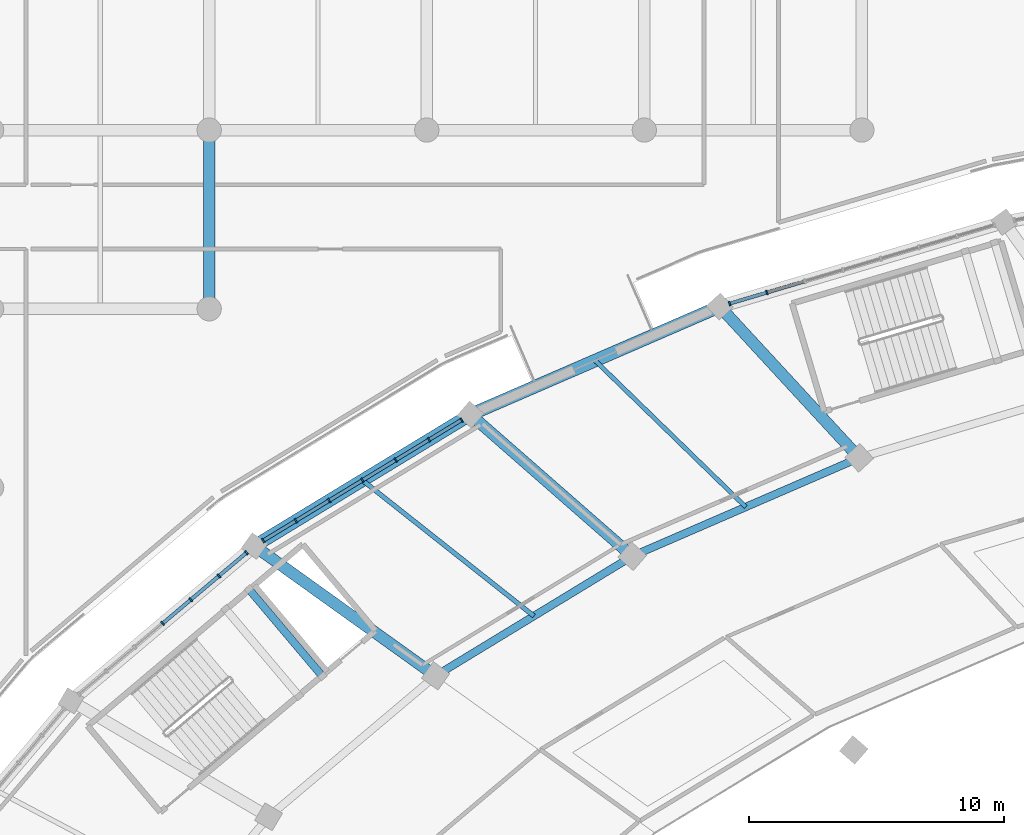
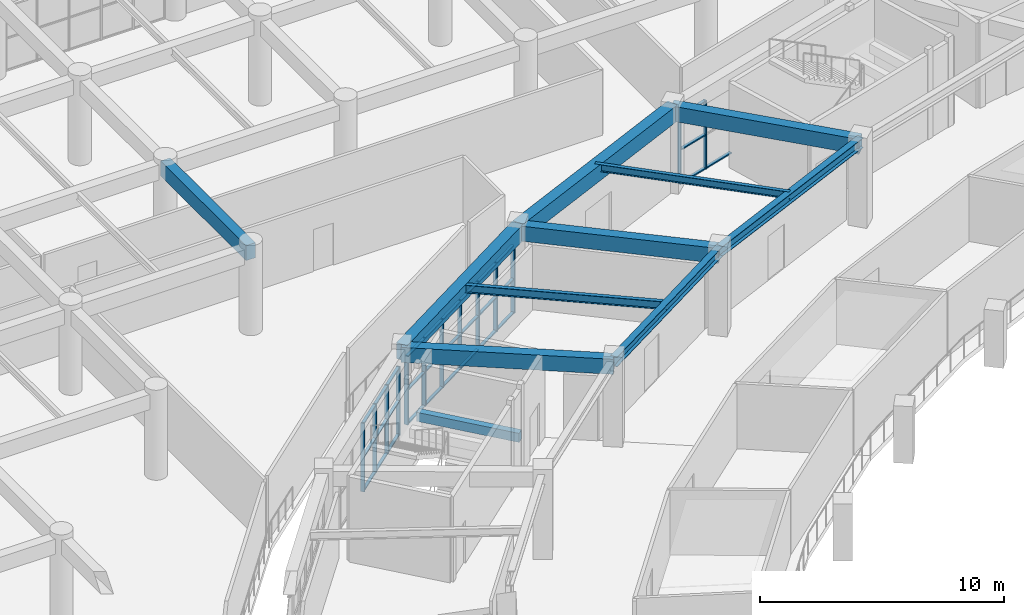
# One storey, part 51 of 141: 44 members, 11 beams, 3 elements without a shape of their own.
"""IFC4 building model written with IfcOpenShell, lengths in metres."""

from ifc_helpers import new_model, si_unit, direction, frame, origin, origin_2d, place, context, subcontext, project, spatial, rectangle, i_section, extrude, material, layer, layer_set, material_profile, profile_set, type_object, element, aggregate, save


model = new_model("IFC4")

# Units and contexts
model_context = context("Model", 3, precision=1e-05, world=origin(), true_north=direction((0.0, 1.0)))
body_context = subcontext(model_context, "Body", "Model", "MODEL_VIEW")
ifc_project = project(units=[si_unit("LENGTHUNIT", "METRE"), si_unit("AREAUNIT", "SQUARE_METRE"), si_unit("VOLUMEUNIT", "CUBIC_METRE"), si_unit("PLANEANGLEUNIT", "RADIAN"), si_unit("MASSUNIT", "GRAM", prefix="KILO")], contexts=[model_context])

# Site, building, storey
site_placement = place(None, origin())
site = spatial("IfcSite", under=ifc_project, at=site_placement, CompositionType="ELEMENT")
building_placement = place(site_placement, origin())
building = spatial("IfcBuilding", under=site, at=building_placement, Name="Mphavela Belvedere Stadium", CompositionType="ELEMENT")
storey_placement = place(building_placement, frame((0.0, 0.0, 14.699951171875)))
storey = spatial("IfcBuildingStorey", under=building, at=storey_placement, Name="L03", CompositionType="ELEMENT", Elevation=14.699951171875)

# Beams
ifc_material_1 = material(Name="Steel S355", Category="steel")
ifc_material_profile_1 = material_profile(ifc_material_1, i_section(OverallWidth=0.169921875, OverallDepth=0.360107421875, WebThickness=0.008056640625, FlangeThickness=0.0126953125, at=origin_2d()), Name="IPE 360")
ifc_profile_set_1 = profile_set([ifc_material_profile_1], Name="Steel S355")
beam_type_1 = type_object("IfcBeamType", Name="BM-JOIST-IPE360", PredefinedType="JOIST", material=ifc_profile_set_1)
beam_1_placement = place(storey_placement, frame((55.081787109375, 145.242431640625, 4.070068359375), z_axis=(-0.717067022089, 0.697004222249, 0.0), x_axis=(-0.697004222249, -0.717067022089, 0.0)))
element("IfcBeam", 1, at=beam_1_placement, inside=storey, type_object=beam_type_1, Name="Concourse floor joist L03-17", PredefinedType="JOIST", context=body_context, shape_type="SweptSolid", body=[
    extrude(i_section(OverallWidth=0.169921875, OverallDepth=0.360107421875, WebThickness=0.008056640625, FlangeThickness=0.0126953125, at=origin_2d()), origin(), (0.0, 0.0, 1.0), 8.22607421875),
])
ifc_material_2 = material(Name="Steel S355", Category="steel")
ifc_material_profile_2 = material_profile(ifc_material_2, i_section(OverallWidth=0.179931640625, OverallDepth=0.39990234375, WebThickness=0.008544921875, FlangeThickness=0.013427734375, at=origin_2d()), Name="IPE 400")
ifc_profile_set_2 = profile_set([ifc_material_profile_2], Name="Steel S355")
beam_type_2 = type_object("IfcBeamType", Name="BM-JOIST-IPE400", PredefinedType="JOIST", material=ifc_profile_set_2)
beam_2_placement = place(storey_placement, frame((46.789306640625, 140.97412109375, 4.050048828125), z_axis=(-0.784195537739, 0.620513785979, 0.0), x_axis=(-0.620513785979, -0.784195537739, 0.0)))
element("IfcBeam", 2, at=beam_2_placement, inside=storey, type_object=beam_type_2, Name="Concourse floor joist L03-18", PredefinedType="JOIST", context=body_context, shape_type="SweptSolid", body=[
    extrude(i_section(OverallWidth=0.179931640625, OverallDepth=0.39990234375, WebThickness=0.008544921875, FlangeThickness=0.013427734375, at=origin_2d()), origin(), (0.0, 0.0, 1.0), 8.56298828125),
])
ifc_material_3 = material(Name="Concrete C40/50", Category="concrete")
ifc_material_profile_3 = material_profile(ifc_material_3, rectangle(XDim=0.300048828125, YDim=0.449951171875, at=origin_2d()), Name="RC 300x450")
ifc_profile_set_3 = profile_set([ifc_material_profile_3], Name="Concrete C40/50")
beam_type_3 = type_object("IfcBeamType", Name="BM-RC300x450", PredefinedType="BEAM", material=ifc_profile_set_3)
beam_3_placement = place(storey_placement, frame((38.510009765625, 138.612548828125, 1.824951171875), z_axis=(-0.644915803055, 0.764253627384, 0.0), x_axis=(-0.764253627384, -0.644915803055, 0.0)))
element("IfcBeam", 3, at=beam_3_placement, inside=storey, type_object=beam_type_3, Name="Core C05 landing trimmer beam L03-2", PredefinedType="BEAM", context=body_context, shape_type="SweptSolid", body=[
    extrude(rectangle(XDim=0.300048828125, YDim=0.449951171875, at=origin_2d()), origin(), (0.0, 0.0, 1.0), 4.469970703125),
])
ifc_material_4 = material(Name="Concrete C40/50", Category="concrete")
ifc_material_profile_4 = material_profile(ifc_material_4, rectangle(XDim=0.449951171875, YDim=0.75, at=origin_2d()), Name="RC 450x750")
ifc_profile_set_4 = profile_set([ifc_material_profile_4], Name="Concrete C40/50")
beam_type_4 = type_object("IfcBeamType", Name="BM-RC450x750", PredefinedType="BEAM", material=ifc_profile_set_4)
beam_4_placement = place(storey_placement, frame((59.523681640625, 147.16796875, 3.875), z_axis=(-0.67784325477, 0.735206448532, 0.0), x_axis=(-0.735206448532, -0.67784325477, 0.0)))
element("IfcBeam", 4, at=beam_4_placement, inside=storey, type_object=beam_type_4, Name="Radial concourse girder L03 R3R4-17", PredefinedType="BEAM", context=body_context, shape_type="SweptSolid", body=[
    extrude(rectangle(XDim=0.449951171875, YDim=0.75, at=origin_2d()), origin(), (0.0, 0.0, 1.0), 8.056640625),
])
beam_5_placement = place(storey_placement, frame((50.639892578125, 143.31689453125, 3.875), z_axis=(-0.752589268993, 0.658490236978, 0.0), x_axis=(-0.658490236978, -0.752589268993, 0.0)))
element("IfcBeam", 5, at=beam_5_placement, inside=storey, type_object=beam_type_4, Name="Radial concourse girder L03 R3R4-18", PredefinedType="BEAM", context=body_context, shape_type="SweptSolid", body=[
    extrude(rectangle(XDim=0.449951171875, YDim=0.75, at=origin_2d()), origin(), (0.0, 0.0, 1.0), 8.419189453125),
])
beam_6_placement = place(storey_placement, frame((42.938720703125, 138.631591796875, 3.875), z_axis=(-0.812882024932, 0.582428376319, 0.0), x_axis=(-0.582428376319, -0.812882024932, 0.0)))
element("IfcBeam", 6, at=beam_6_placement, inside=storey, type_object=beam_type_4, Name="Radial concourse girder L03 R3R4-19", PredefinedType="BEAM", context=body_context, shape_type="SweptSolid", body=[
    extrude(rectangle(XDim=0.449951171875, YDim=0.75, at=origin_2d()), origin(), (0.0, 0.0, 1.0), 8.727294921875),
])
beam_7_placement = place(storey_placement, frame((34.073974609375, 153.0, 3.864990234375), z_axis=(0.0, 1.0, 0.0), x_axis=(-1.0, 0.0, 0.0)))
element("IfcBeam", 7, at=beam_7_placement, inside=storey, type_object=beam_type_4, Name="North Mast and Ceremonial End Forecourt entablature beam Y L03 5-5", PredefinedType="BEAM", context=body_context, shape_type="SweptSolid", body=[
    extrude(rectangle(XDim=0.449951171875, YDim=0.75, at=origin_2d()), origin(), (0.0, 0.0, 1.0), 7.0),
])
ifc_material_5 = material(Name="Concrete C40/50", Category="concrete")
ifc_material_profile_5 = material_profile(ifc_material_5, rectangle(XDim=0.5, YDim=0.800048828125, at=origin_2d()), Name="RC 500x800")
ifc_profile_set_5 = profile_set([ifc_material_profile_5], Name="Concrete C40/50")
beam_type_5 = type_object("IfcBeamType", Name="BM-SPANDREL-800", PredefinedType="SPANDREL", material=ifc_profile_set_5)
beam_8_placement = place(storey_placement, frame((54.0625, 153.09130859375, 3.85009765625), z_axis=(-0.91749867224, -0.397738842004, 0.0), x_axis=(0.397738842004, -0.91749867224, 0.0)))
element("IfcBeam", 8, at=beam_8_placement, inside=storey, type_object=beam_type_5, Name="Circumferential girder L03 R4-17", PredefinedType="SPANDREL", context=body_context, shape_type="SweptSolid", body=[
    extrude(rectangle(XDim=0.5, YDim=0.800048828125, at=origin_2d()), origin(), (0.0, 0.0, 1.0), 10.63623046875),
])
beam_9_placement = place(storey_placement, frame((44.3037109375, 148.86083984375, 3.85009765625), z_axis=(-0.854326607994, -0.51973651678, 0.0), x_axis=(0.51973651678, -0.854326607994, 0.0)))
element("IfcBeam", 9, at=beam_9_placement, inside=storey, type_object=beam_type_5, Name="Circumferential girder L03 R4-18", PredefinedType="SPANDREL", context=body_context, shape_type="SweptSolid", body=[
    extrude(rectangle(XDim=0.5, YDim=0.800048828125, at=origin_2d()), origin(), (0.0, 0.0, 1.0), 9.901611328125),
])
ifc_material_6 = material(Name="Steel S355", Category="steel")
ifc_material_profile_6 = material_profile(ifc_material_6, i_section(OverallWidth=0.300048828125, OverallDepth=0.489990234375, WebThickness=0.011962890625, FlangeThickness=0.02294921875, at=origin_2d()), Name="HEA 500")
ifc_profile_set_6 = profile_set([ifc_material_profile_6], Name="Steel S355")
beam_type_6 = type_object("IfcBeamType", Name="BM-STEEL-HEA500", PredefinedType="BEAM", material=ifc_profile_set_6)
beam_10_placement = place(storey_placement, frame((59.523681640625, 147.16796875, 4.005126953125), z_axis=(-0.917501650019, -0.397731972832, 0.0), x_axis=(0.397731972832, -0.917501650019, 0.0)))
element("IfcBeam", 10, at=beam_10_placement, inside=storey, type_object=beam_type_6, Name="Circumferential girder L03 R3-17", PredefinedType="BEAM", context=body_context, shape_type="SweptSolid", body=[
    extrude(i_section(OverallWidth=0.300048828125, OverallDepth=0.489990234375, WebThickness=0.011962890625, FlangeThickness=0.02294921875, at=origin_2d()), origin(), (0.0, 0.0, 1.0), 9.6826171875),
])
beam_11_placement = place(storey_placement, frame((50.639892578125, 143.31689453125, 4.005126953125), z_axis=(-0.854315160357, -0.519755333579, 0.0), x_axis=(0.519755333579, -0.854315160357, 0.0)))
element("IfcBeam", 11, at=beam_11_placement, inside=storey, type_object=beam_type_6, Name="Circumferential girder L03 R3-18", PredefinedType="BEAM", context=body_context, shape_type="SweptSolid", body=[
    extrude(i_section(OverallWidth=0.300048828125, OverallDepth=0.489990234375, WebThickness=0.011962890625, FlangeThickness=0.02294921875, at=origin_2d()), origin(), (0.0, 0.0, 1.0), 9.014404296875),
])

# Curtain wall, members
ifc_material_7 = material(Name="Anodised bronze unitised curtain wall framing")
ifc_layer_1 = layer(ifc_material_7, 0.18505859375)
ifc_layer_set_1 = layer_set([ifc_layer_1], Name="Anodised bronze unitised curtain wall framing")
curtain_wall_type_1 = type_object("IfcCurtainWallType", Name="CW-UNIT-02", PredefinedType="USERDEFINED", material=ifc_layer_set_1)
curtain_wall_1_placement = place(storey_placement, origin())
curtain_wall_1 = element("IfcCurtainWall", 12, at=curtain_wall_1_placement, inside=storey, type_object=curtain_wall_type_1, Name="Belvedere colonnade curtain wall L03-16", ObjectType="UNITISED CURTAIN WALL", PredefinedType="USERDEFINED")
ifc_material_8 = material(Name="Anodised bronze extruded aluminium", Category="aluminium")
ifc_material_profile_7 = material_profile(ifc_material_8, rectangle(XDim=0.179931640625, YDim=0.06494140625, at=origin_2d()), Name="CW-MUL 180x65")
ifc_profile_set_7 = profile_set([ifc_material_profile_7], Name="Anodised bronze extruded aluminium")
member_type_1 = type_object("IfcMemberType", Name="CWM-180x65", PredefinedType="MULLION", material=ifc_profile_set_7)
member_1_placement = place(storey_placement, frame((55.90869140625, 153.639404296875, 0.0), z_axis=(0.0, 0.0, 1.0), x_axis=(0.284565000591, -0.958656747975, 0.0)))
member_1 = element("IfcMember", 13, at=member_1_placement, type_object=member_type_1, Name="CW-02 mullion 7", PredefinedType="MULLION", context=body_context, shape_type="SweptSolid", body=[
    extrude(rectangle(XDim=0.179931640625, YDim=0.06494140625, at=origin_2d()), origin(), (0.0, 0.0, 1.0), 3.420166015625),
])
member_2_placement = place(storey_placement, frame((54.451171875, 153.20654296875, 0.0), z_axis=(0.0, 0.0, 1.0), x_axis=(0.284565000591, -0.958656747975, 0.0)))
member_2 = element("IfcMember", 14, at=member_2_placement, type_object=member_type_1, Name="CW-02 mullion 8", PredefinedType="MULLION", context=body_context, shape_type="SweptSolid", body=[
    extrude(rectangle(XDim=0.179931640625, YDim=0.06494140625, at=origin_2d()), origin(), (0.0, 0.0, 1.0), 3.420166015625),
])

ifc_material_9 = material(Name="Anodised bronze unitised curtain wall framing")
ifc_layer_2 = layer(ifc_material_9, 0.18994140625)
ifc_layer_set_2 = layer_set([ifc_layer_2], Name="Anodised bronze unitised curtain wall framing")
curtain_wall_type_2 = type_object("IfcCurtainWallType", Name="CW-UNIT-03", PredefinedType="USERDEFINED", material=ifc_layer_set_2)
curtain_wall_2_placement = place(storey_placement, origin())
curtain_wall_2 = element("IfcCurtainWall", 15, at=curtain_wall_2_placement, inside=storey, type_object=curtain_wall_type_2, Name="Belvedere colonnade curtain wall L03-18", ObjectType="UNITISED CURTAIN WALL", PredefinedType="USERDEFINED")
member_3_placement = place(storey_placement, frame((43.957275390625, 148.650146484375, 0.0), z_axis=(0.0, 0.0, 1.0), x_axis=(0.519738342169, -0.8543254975, 0.0)))
member_3 = element("IfcMember", 16, at=member_3_placement, type_object=member_type_1, Name="CW-03 mullion 1", PredefinedType="MULLION", context=body_context, shape_type="SweptSolid", body=[
    extrude(rectangle(XDim=0.179931640625, YDim=0.06494140625, at=origin_2d()), origin(), (0.0, 0.0, 1.0), 3.420166015625),
])
member_4_placement = place(storey_placement, frame((42.681396484375, 147.873779296875, 0.0), z_axis=(0.0, 0.0, 1.0), x_axis=(0.519738342169, -0.8543254975, 0.0)))
member_4 = element("IfcMember", 17, at=member_4_placement, type_object=member_type_1, Name="CW-03 mullion 2", PredefinedType="MULLION", context=body_context, shape_type="SweptSolid", body=[
    extrude(rectangle(XDim=0.179931640625, YDim=0.06494140625, at=origin_2d()), origin(), (0.0, 0.0, 1.0), 3.420166015625),
])
member_5_placement = place(storey_placement, frame((41.377685546875, 147.080810546875, 0.0), z_axis=(0.0, 0.0, 1.0), x_axis=(0.519738342169, -0.8543254975, 0.0)))
member_5 = element("IfcMember", 18, at=member_5_placement, type_object=member_type_1, Name="CW-03 mullion 3", PredefinedType="MULLION", context=body_context, shape_type="SweptSolid", body=[
    extrude(rectangle(XDim=0.179931640625, YDim=0.06494140625, at=origin_2d()), origin(), (0.0, 0.0, 1.0), 3.420166015625),
])
member_6_placement = place(storey_placement, frame((40.07421875, 146.28759765625, 0.0), z_axis=(0.0, 0.0, 1.0), x_axis=(0.519738342169, -0.8543254975, 0.0)))
member_6 = element("IfcMember", 19, at=member_6_placement, type_object=member_type_1, Name="CW-03 mullion 4", PredefinedType="MULLION", context=body_context, shape_type="SweptSolid", body=[
    extrude(rectangle(XDim=0.179931640625, YDim=0.06494140625, at=origin_2d()), origin(), (0.0, 0.0, 1.0), 3.420166015625),
])
member_7_placement = place(storey_placement, frame((38.7705078125, 145.49462890625, 0.0), z_axis=(0.0, 0.0, 1.0), x_axis=(0.519738342169, -0.8543254975, 0.0)))
member_7 = element("IfcMember", 20, at=member_7_placement, type_object=member_type_1, Name="CW-03 mullion 5", PredefinedType="MULLION", context=body_context, shape_type="SweptSolid", body=[
    extrude(rectangle(XDim=0.179931640625, YDim=0.06494140625, at=origin_2d()), origin(), (0.0, 0.0, 1.0), 3.420166015625),
])
member_8_placement = place(storey_placement, frame((37.466796875, 144.701416015625, 0.0), z_axis=(0.0, 0.0, 1.0), x_axis=(0.519738342169, -0.8543254975, 0.0)))
member_8 = element("IfcMember", 21, at=member_8_placement, type_object=member_type_1, Name="CW-03 mullion 6", PredefinedType="MULLION", context=body_context, shape_type="SweptSolid", body=[
    extrude(rectangle(XDim=0.179931640625, YDim=0.06494140625, at=origin_2d()), origin(), (0.0, 0.0, 1.0), 3.420166015625),
])
member_9_placement = place(storey_placement, frame((36.19091796875, 143.92529296875, 0.0), z_axis=(0.0, 0.0, 1.0), x_axis=(0.519738342169, -0.8543254975, 0.0)))
member_9 = element("IfcMember", 22, at=member_9_placement, type_object=member_type_1, Name="CW-03 mullion 7", PredefinedType="MULLION", context=body_context, shape_type="SweptSolid", body=[
    extrude(rectangle(XDim=0.179931640625, YDim=0.06494140625, at=origin_2d()), origin(), (0.0, 0.0, 1.0), 3.420166015625),
])

ifc_material_10 = material(Name="Anodised bronze unitised curtain wall framing")
ifc_layer_3 = layer(ifc_material_10, 0.195068359375)
ifc_layer_set_3 = layer_set([ifc_layer_3], Name="Anodised bronze unitised curtain wall framing")
curtain_wall_type_3 = type_object("IfcCurtainWallType", Name="CW-UNIT-04", PredefinedType="USERDEFINED", material=ifc_layer_set_3)
curtain_wall_3_placement = place(storey_placement, origin())
curtain_wall_3 = element("IfcCurtainWall", 23, at=curtain_wall_3_placement, inside=storey, type_object=curtain_wall_type_3, Name="Belvedere colonnade curtain wall L03-19", ObjectType="UNITISED CURTAIN WALL", PredefinedType="USERDEFINED")
member_10_placement = place(storey_placement, frame((35.534423828125, 143.452880859375, 0.0), z_axis=(0.0, 0.0, 1.0), x_axis=(0.644904906656, -0.764262822183, 0.0)))
member_10 = element("IfcMember", 24, at=member_10_placement, type_object=member_type_1, Name="CW-04 mullion 1", PredefinedType="MULLION", context=body_context, shape_type="SweptSolid", body=[
    extrude(rectangle(XDim=0.179931640625, YDim=0.06494140625, at=origin_2d()), origin(), (0.0, 0.0, 1.0), 3.420166015625),
])
member_11_placement = place(storey_placement, frame((34.457275390625, 142.5439453125, 0.0), z_axis=(0.0, 0.0, 1.0), x_axis=(0.644904906656, -0.764262822183, 0.0)))
member_11 = element("IfcMember", 25, at=member_11_placement, type_object=member_type_1, Name="CW-04 mullion 2", PredefinedType="MULLION", context=body_context, shape_type="SweptSolid", body=[
    extrude(rectangle(XDim=0.179931640625, YDim=0.06494140625, at=origin_2d()), origin(), (0.0, 0.0, 1.0), 3.420166015625),
])
member_12_placement = place(storey_placement, frame((33.355224609375, 141.614013671875, 0.0), z_axis=(0.0, 0.0, 1.0), x_axis=(0.644904906656, -0.764262822183, 0.0)))
member_12 = element("IfcMember", 26, at=member_12_placement, type_object=member_type_1, Name="CW-04 mullion 3", PredefinedType="MULLION", context=body_context, shape_type="SweptSolid", body=[
    extrude(rectangle(XDim=0.179931640625, YDim=0.06494140625, at=origin_2d()), origin(), (0.0, 0.0, 1.0), 3.420166015625),
])
member_13_placement = place(storey_placement, frame((32.2529296875, 140.68408203125, 0.0), z_axis=(0.0, 0.0, 1.0), x_axis=(0.644904906656, -0.764262822183, 0.0)))
member_13 = element("IfcMember", 27, at=member_13_placement, type_object=member_type_1, Name="CW-04 mullion 4", PredefinedType="MULLION", context=body_context, shape_type="SweptSolid", body=[
    extrude(rectangle(XDim=0.179931640625, YDim=0.06494140625, at=origin_2d()), origin(), (0.0, 0.0, 1.0), 3.420166015625),
])

# Member
ifc_material_11 = material(Name="Anodised bronze extruded aluminium", Category="aluminium")
ifc_material_profile_8 = material_profile(ifc_material_11, rectangle(XDim=0.139892578125, YDim=0.06005859375, at=origin_2d()), Name="CW-TRN 140x60")
ifc_profile_set_8 = profile_set([ifc_material_profile_8], Name="Anodised bronze extruded aluminium")
member_type_2 = type_object("IfcMemberType", Name="CWT-140x60", PredefinedType="USERDEFINED", material=ifc_profile_set_8)
member_14_placement = place(storey_placement, frame((57.3662109375, 154.072021484375, 0.030029296875), z_axis=(-0.958662254845, -0.284546448117, 0.0), x_axis=(0.284546448117, -0.958662254845, 0.0)))
member_14 = element("IfcMember", 28, at=member_14_placement, type_object=member_type_2, Name="CW-02 transom 6.1", ObjectType="TRANSOM", PredefinedType="USERDEFINED", context=body_context, shape_type="SweptSolid", body=[
    extrude(rectangle(XDim=0.139892578125, YDim=0.06005859375, at=origin_2d()), origin(), (0.0, 0.0, 1.0), 1.48779296875),
])

member_15_placement = place(storey_placement, frame((55.877685546875, 153.630126953125, 0.030029296875), z_axis=(-0.958630418167, -0.284653686724, 0.0), x_axis=(0.284653686724, -0.958630418167, 0.0)))
member_15 = element("IfcMember", 29, at=member_15_placement, type_object=member_type_2, Name="CW-02 transom 7.1", ObjectType="TRANSOM", PredefinedType="USERDEFINED", context=body_context, shape_type="SweptSolid", body=[
    extrude(rectangle(XDim=0.139892578125, YDim=0.06005859375, at=origin_2d()), origin(), (0.0, 0.0, 1.0), 1.45556640625),
])

member_16_placement = place(storey_placement, frame((55.877685546875, 153.630126953125, 1.7099609375), z_axis=(-0.958630418167, -0.284653686724, 0.0), x_axis=(0.284653686724, -0.958630418167, 0.0)))
member_16 = element("IfcMember", 30, at=member_16_placement, type_object=member_type_2, Name="CW-02 transom 7.2", ObjectType="TRANSOM", PredefinedType="USERDEFINED", context=body_context, shape_type="SweptSolid", body=[
    extrude(rectangle(XDim=0.139892578125, YDim=0.06005859375, at=origin_2d()), origin(), (0.0, 0.0, 1.0), 1.45556640625),
])

member_17_placement = place(storey_placement, frame((55.877685546875, 153.630126953125, 3.39013671875), z_axis=(-0.958630418167, -0.284653686724, 0.0), x_axis=(0.284653686724, -0.958630418167, 0.0)))
member_17 = element("IfcMember", 31, at=member_17_placement, type_object=member_type_2, Name="CW-02 transom 7.3", ObjectType="TRANSOM", PredefinedType="USERDEFINED", context=body_context, shape_type="SweptSolid", body=[
    extrude(rectangle(XDim=0.139892578125, YDim=0.06005859375, at=origin_2d()), origin(), (0.0, 0.0, 1.0), 1.45556640625),
])

aggregate(curtain_wall_1, [member_1, member_2, member_14, member_15, member_16, member_17])

member_18_placement = place(storey_placement, frame((43.9296875, 148.63330078125, 0.030029296875), z_axis=(-0.854340431613, -0.519713793266, 0.0), x_axis=(0.519713793266, -0.854340431613, 0.0)))
member_18 = element("IfcMember", 32, at=member_18_placement, type_object=member_type_2, Name="CW-03 transom 1.1", ObjectType="TRANSOM", PredefinedType="USERDEFINED", context=body_context, shape_type="SweptSolid", body=[
    extrude(rectangle(XDim=0.139892578125, YDim=0.06005859375, at=origin_2d()), origin(), (0.0, 0.0, 1.0), 1.428466796875),
])

member_19_placement = place(storey_placement, frame((43.9296875, 148.63330078125, 1.7099609375), z_axis=(-0.854340431613, -0.519713793266, 0.0), x_axis=(0.519713793266, -0.854340431613, 0.0)))
member_19 = element("IfcMember", 33, at=member_19_placement, type_object=member_type_2, Name="CW-03 transom 1.2", ObjectType="TRANSOM", PredefinedType="USERDEFINED", context=body_context, shape_type="SweptSolid", body=[
    extrude(rectangle(XDim=0.139892578125, YDim=0.06005859375, at=origin_2d()), origin(), (0.0, 0.0, 1.0), 1.428466796875),
])

member_20_placement = place(storey_placement, frame((43.9296875, 148.63330078125, 3.39013671875), z_axis=(-0.854340431613, -0.519713793266, 0.0), x_axis=(0.519713793266, -0.854340431613, 0.0)))
member_20 = element("IfcMember", 34, at=member_20_placement, type_object=member_type_2, Name="CW-03 transom 1.3", ObjectType="TRANSOM", PredefinedType="USERDEFINED", context=body_context, shape_type="SweptSolid", body=[
    extrude(rectangle(XDim=0.139892578125, YDim=0.06005859375, at=origin_2d()), origin(), (0.0, 0.0, 1.0), 1.428466796875),
])

member_21_placement = place(storey_placement, frame((42.653564453125, 147.85693359375, 0.030029296875), z_axis=(-0.854321163894, -0.519745465515, 0.0), x_axis=(0.519745465515, -0.854321163894, 0.0)))
member_21 = element("IfcMember", 35, at=member_21_placement, type_object=member_type_2, Name="CW-03 transom 2.1", ObjectType="TRANSOM", PredefinedType="USERDEFINED", context=body_context, shape_type="SweptSolid", body=[
    extrude(rectangle(XDim=0.139892578125, YDim=0.06005859375, at=origin_2d()), origin(), (0.0, 0.0, 1.0), 1.4609375),
])

member_22_placement = place(storey_placement, frame((42.653564453125, 147.85693359375, 1.7099609375), z_axis=(-0.854321163894, -0.519745465515, 0.0), x_axis=(0.519745465515, -0.854321163894, 0.0)))
member_22 = element("IfcMember", 36, at=member_22_placement, type_object=member_type_2, Name="CW-03 transom 2.2", ObjectType="TRANSOM", PredefinedType="USERDEFINED", context=body_context, shape_type="SweptSolid", body=[
    extrude(rectangle(XDim=0.139892578125, YDim=0.06005859375, at=origin_2d()), origin(), (0.0, 0.0, 1.0), 1.4609375),
])

member_23_placement = place(storey_placement, frame((42.653564453125, 147.85693359375, 3.39013671875), z_axis=(-0.854321163894, -0.519745465515, 0.0), x_axis=(0.519745465515, -0.854321163894, 0.0)))
member_23 = element("IfcMember", 37, at=member_23_placement, type_object=member_type_2, Name="CW-03 transom 2.3", ObjectType="TRANSOM", PredefinedType="USERDEFINED", context=body_context, shape_type="SweptSolid", body=[
    extrude(rectangle(XDim=0.139892578125, YDim=0.06005859375, at=origin_2d()), origin(), (0.0, 0.0, 1.0), 1.4609375),
])

member_24_placement = place(storey_placement, frame((41.35009765625, 147.06396484375, 0.030029296875), z_axis=(-0.854366299444, -0.519671267606, 0.0), x_axis=(0.519671267606, -0.854366299444, 0.0)))
member_24 = element("IfcMember", 38, at=member_24_placement, type_object=member_type_2, Name="CW-03 transom 3.1", ObjectType="TRANSOM", PredefinedType="USERDEFINED", context=body_context, shape_type="SweptSolid", body=[
    extrude(rectangle(XDim=0.139892578125, YDim=0.06005859375, at=origin_2d()), origin(), (0.0, 0.0, 1.0), 1.461181640625),
])

member_25_placement = place(storey_placement, frame((41.35009765625, 147.06396484375, 1.7099609375), z_axis=(-0.854366299444, -0.519671267606, 0.0), x_axis=(0.519671267606, -0.854366299444, 0.0)))
member_25 = element("IfcMember", 39, at=member_25_placement, type_object=member_type_2, Name="CW-03 transom 3.2", ObjectType="TRANSOM", PredefinedType="USERDEFINED", context=body_context, shape_type="SweptSolid", body=[
    extrude(rectangle(XDim=0.139892578125, YDim=0.06005859375, at=origin_2d()), origin(), (0.0, 0.0, 1.0), 1.461181640625),
])

member_26_placement = place(storey_placement, frame((41.35009765625, 147.06396484375, 3.39013671875), z_axis=(-0.854366299444, -0.519671267606, 0.0), x_axis=(0.519671267606, -0.854366299444, 0.0)))
member_26 = element("IfcMember", 40, at=member_26_placement, type_object=member_type_2, Name="CW-03 transom 3.3", ObjectType="TRANSOM", PredefinedType="USERDEFINED", context=body_context, shape_type="SweptSolid", body=[
    extrude(rectangle(XDim=0.139892578125, YDim=0.06005859375, at=origin_2d()), origin(), (0.0, 0.0, 1.0), 1.461181640625),
])

member_27_placement = place(storey_placement, frame((40.04638671875, 146.270751953125, 0.030029296875), z_axis=(-0.854366299444, -0.519671267606, 0.0), x_axis=(0.519671267606, -0.854366299444, 0.0)))
member_27 = element("IfcMember", 41, at=member_27_placement, type_object=member_type_2, Name="CW-03 transom 4.1", ObjectType="TRANSOM", PredefinedType="USERDEFINED", context=body_context, shape_type="SweptSolid", body=[
    extrude(rectangle(XDim=0.139892578125, YDim=0.06005859375, at=origin_2d()), origin(), (0.0, 0.0, 1.0), 1.461181640625),
])

member_28_placement = place(storey_placement, frame((40.04638671875, 146.270751953125, 1.7099609375), z_axis=(-0.854366299444, -0.519671267606, 0.0), x_axis=(0.519671267606, -0.854366299444, 0.0)))
member_28 = element("IfcMember", 42, at=member_28_placement, type_object=member_type_2, Name="CW-03 transom 4.2", ObjectType="TRANSOM", PredefinedType="USERDEFINED", context=body_context, shape_type="SweptSolid", body=[
    extrude(rectangle(XDim=0.139892578125, YDim=0.06005859375, at=origin_2d()), origin(), (0.0, 0.0, 1.0), 1.461181640625),
])

member_29_placement = place(storey_placement, frame((40.04638671875, 146.270751953125, 3.39013671875), z_axis=(-0.854366299444, -0.519671267606, 0.0), x_axis=(0.519671267606, -0.854366299444, 0.0)))
member_29 = element("IfcMember", 43, at=member_29_placement, type_object=member_type_2, Name="CW-03 transom 4.3", ObjectType="TRANSOM", PredefinedType="USERDEFINED", context=body_context, shape_type="SweptSolid", body=[
    extrude(rectangle(XDim=0.139892578125, YDim=0.06005859375, at=origin_2d()), origin(), (0.0, 0.0, 1.0), 1.461181640625),
])

member_30_placement = place(storey_placement, frame((38.74267578125, 145.477783203125, 0.030029296875), z_axis=(-0.854321163894, -0.519745465515, 0.0), x_axis=(0.519745465515, -0.854321163894, 0.0)))
member_30 = element("IfcMember", 44, at=member_30_placement, type_object=member_type_2, Name="CW-03 transom 5.1", ObjectType="TRANSOM", PredefinedType="USERDEFINED", context=body_context, shape_type="SweptSolid", body=[
    extrude(rectangle(XDim=0.139892578125, YDim=0.06005859375, at=origin_2d()), origin(), (0.0, 0.0, 1.0), 1.4609375),
])

member_31_placement = place(storey_placement, frame((38.74267578125, 145.477783203125, 1.7099609375), z_axis=(-0.854321163894, -0.519745465515, 0.0), x_axis=(0.519745465515, -0.854321163894, 0.0)))
member_31 = element("IfcMember", 45, at=member_31_placement, type_object=member_type_2, Name="CW-03 transom 5.2", ObjectType="TRANSOM", PredefinedType="USERDEFINED", context=body_context, shape_type="SweptSolid", body=[
    extrude(rectangle(XDim=0.139892578125, YDim=0.06005859375, at=origin_2d()), origin(), (0.0, 0.0, 1.0), 1.4609375),
])

member_32_placement = place(storey_placement, frame((38.74267578125, 145.477783203125, 3.39013671875), z_axis=(-0.854321163894, -0.519745465515, 0.0), x_axis=(0.519745465515, -0.854321163894, 0.0)))
member_32 = element("IfcMember", 46, at=member_32_placement, type_object=member_type_2, Name="CW-03 transom 5.3", ObjectType="TRANSOM", PredefinedType="USERDEFINED", context=body_context, shape_type="SweptSolid", body=[
    extrude(rectangle(XDim=0.139892578125, YDim=0.06005859375, at=origin_2d()), origin(), (0.0, 0.0, 1.0), 1.4609375),
])

member_33_placement = place(storey_placement, frame((37.43896484375, 144.6845703125, 0.030029296875), z_axis=(-0.854294260385, -0.51978968504, 0.0), x_axis=(0.51978968504, -0.854294260385, 0.0)))
member_33 = element("IfcMember", 47, at=member_33_placement, type_object=member_type_2, Name="CW-03 transom 6.1", ObjectType="TRANSOM", PredefinedType="USERDEFINED", context=body_context, shape_type="SweptSolid", body=[
    extrude(rectangle(XDim=0.139892578125, YDim=0.06005859375, at=origin_2d()), origin(), (0.0, 0.0, 1.0), 1.42822265625),
])

member_34_placement = place(storey_placement, frame((37.43896484375, 144.6845703125, 1.7099609375), z_axis=(-0.854294260385, -0.51978968504, 0.0), x_axis=(0.51978968504, -0.854294260385, 0.0)))
member_34 = element("IfcMember", 48, at=member_34_placement, type_object=member_type_2, Name="CW-03 transom 6.2", ObjectType="TRANSOM", PredefinedType="USERDEFINED", context=body_context, shape_type="SweptSolid", body=[
    extrude(rectangle(XDim=0.139892578125, YDim=0.06005859375, at=origin_2d()), origin(), (0.0, 0.0, 1.0), 1.42822265625),
])

member_35_placement = place(storey_placement, frame((37.43896484375, 144.6845703125, 3.39013671875), z_axis=(-0.854294260385, -0.51978968504, 0.0), x_axis=(0.51978968504, -0.854294260385, 0.0)))
member_35 = element("IfcMember", 49, at=member_35_placement, type_object=member_type_2, Name="CW-03 transom 6.3", ObjectType="TRANSOM", PredefinedType="USERDEFINED", context=body_context, shape_type="SweptSolid", body=[
    extrude(rectangle(XDim=0.139892578125, YDim=0.06005859375, at=origin_2d()), origin(), (0.0, 0.0, 1.0), 1.42822265625),
])

aggregate(curtain_wall_2, [member_3, member_4, member_5, member_6, member_7, member_8, member_9, member_18, member_19, member_20, member_21, member_22, member_23, member_24, member_25, member_26, member_27, member_28, member_29, member_30, member_31, member_32, member_33, member_34, member_35])

member_36_placement = place(storey_placement, frame((35.509521484375, 143.431884765625, 0.030029296875), z_axis=(-0.764322248714, -0.644834474978, 0.0), x_axis=(0.644834474978, -0.764322248714, 0.0)))
member_36 = element("IfcMember", 50, at=member_36_placement, type_object=member_type_2, Name="CW-04 transom 1.1", ObjectType="TRANSOM", PredefinedType="USERDEFINED", context=body_context, shape_type="SweptSolid", body=[
    extrude(rectangle(XDim=0.139892578125, YDim=0.06005859375, at=origin_2d()), origin(), (0.0, 0.0, 1.0), 1.344482421875),
])

member_37_placement = place(storey_placement, frame((35.509521484375, 143.431884765625, 1.7099609375), z_axis=(-0.764322248714, -0.644834474978, 0.0), x_axis=(0.644834474978, -0.764322248714, 0.0)))
member_37 = element("IfcMember", 51, at=member_37_placement, type_object=member_type_2, Name="CW-04 transom 1.2", ObjectType="TRANSOM", PredefinedType="USERDEFINED", context=body_context, shape_type="SweptSolid", body=[
    extrude(rectangle(XDim=0.139892578125, YDim=0.06005859375, at=origin_2d()), origin(), (0.0, 0.0, 1.0), 1.344482421875),
])

member_38_placement = place(storey_placement, frame((35.509521484375, 143.431884765625, 3.39013671875), z_axis=(-0.764322248714, -0.644834474978, 0.0), x_axis=(0.644834474978, -0.764322248714, 0.0)))
member_38 = element("IfcMember", 52, at=member_38_placement, type_object=member_type_2, Name="CW-04 transom 1.3", ObjectType="TRANSOM", PredefinedType="USERDEFINED", context=body_context, shape_type="SweptSolid", body=[
    extrude(rectangle(XDim=0.139892578125, YDim=0.06005859375, at=origin_2d()), origin(), (0.0, 0.0, 1.0), 1.344482421875),
])

member_39_placement = place(storey_placement, frame((34.432373046875, 142.52294921875, 0.030029296875), z_axis=(-0.764326982188, -0.644828864351, 0.0), x_axis=(0.644828864351, -0.764326982188, 0.0)))
member_39 = element("IfcMember", 53, at=member_39_placement, type_object=member_type_2, Name="CW-04 transom 2.1", ObjectType="TRANSOM", PredefinedType="USERDEFINED", context=body_context, shape_type="SweptSolid", body=[
    extrude(rectangle(XDim=0.139892578125, YDim=0.06005859375, at=origin_2d()), origin(), (0.0, 0.0, 1.0), 1.376953125),
])

member_40_placement = place(storey_placement, frame((34.432373046875, 142.52294921875, 1.7099609375), z_axis=(-0.764326982188, -0.644828864351, 0.0), x_axis=(0.644828864351, -0.764326982188, 0.0)))
member_40 = element("IfcMember", 54, at=member_40_placement, type_object=member_type_2, Name="CW-04 transom 2.2", ObjectType="TRANSOM", PredefinedType="USERDEFINED", context=body_context, shape_type="SweptSolid", body=[
    extrude(rectangle(XDim=0.139892578125, YDim=0.06005859375, at=origin_2d()), origin(), (0.0, 0.0, 1.0), 1.376953125),
])

member_41_placement = place(storey_placement, frame((34.432373046875, 142.52294921875, 3.39013671875), z_axis=(-0.764326982188, -0.644828864351, 0.0), x_axis=(0.644828864351, -0.764326982188, 0.0)))
member_41 = element("IfcMember", 55, at=member_41_placement, type_object=member_type_2, Name="CW-04 transom 2.3", ObjectType="TRANSOM", PredefinedType="USERDEFINED", context=body_context, shape_type="SweptSolid", body=[
    extrude(rectangle(XDim=0.139892578125, YDim=0.06005859375, at=origin_2d()), origin(), (0.0, 0.0, 1.0), 1.376953125),
])

member_42_placement = place(storey_placement, frame((33.330322265625, 141.593017578125, 0.030029296875), z_axis=(-0.764326982188, -0.644828864351, 0.0), x_axis=(0.644828864351, -0.764326982188, 0.0)))
member_42 = element("IfcMember", 56, at=member_42_placement, type_object=member_type_2, Name="CW-04 transom 3.1", ObjectType="TRANSOM", PredefinedType="USERDEFINED", context=body_context, shape_type="SweptSolid", body=[
    extrude(rectangle(XDim=0.139892578125, YDim=0.06005859375, at=origin_2d()), origin(), (0.0, 0.0, 1.0), 1.376953125),
])

member_43_placement = place(storey_placement, frame((33.330322265625, 141.593017578125, 1.7099609375), z_axis=(-0.764326982188, -0.644828864351, 0.0), x_axis=(0.644828864351, -0.764326982188, 0.0)))
member_43 = element("IfcMember", 57, at=member_43_placement, type_object=member_type_2, Name="CW-04 transom 3.2", ObjectType="TRANSOM", PredefinedType="USERDEFINED", context=body_context, shape_type="SweptSolid", body=[
    extrude(rectangle(XDim=0.139892578125, YDim=0.06005859375, at=origin_2d()), origin(), (0.0, 0.0, 1.0), 1.376953125),
])

member_44_placement = place(storey_placement, frame((33.330322265625, 141.593017578125, 3.39013671875), z_axis=(-0.764326982188, -0.644828864351, 0.0), x_axis=(0.644828864351, -0.764326982188, 0.0)))
member_44 = element("IfcMember", 58, at=member_44_placement, type_object=member_type_2, Name="CW-04 transom 3.3", ObjectType="TRANSOM", PredefinedType="USERDEFINED", context=body_context, shape_type="SweptSolid", body=[
    extrude(rectangle(XDim=0.139892578125, YDim=0.06005859375, at=origin_2d()), origin(), (0.0, 0.0, 1.0), 1.376953125),
])

aggregate(curtain_wall_3, [member_10, member_11, member_12, member_13, member_36, member_37, member_38, member_39, member_40, member_41, member_42, member_43, member_44])

save(model, "model.ifc")
